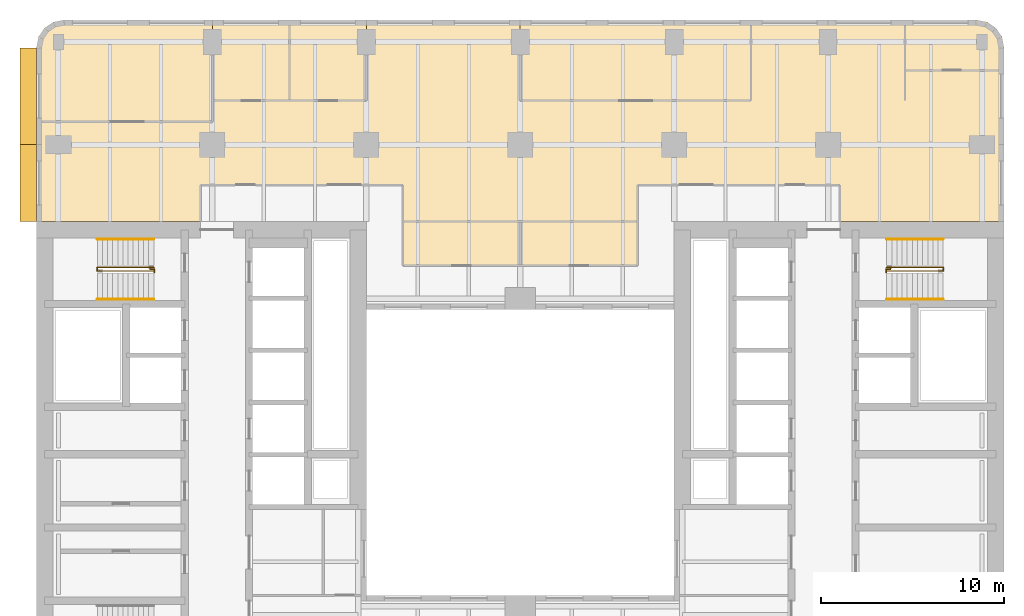
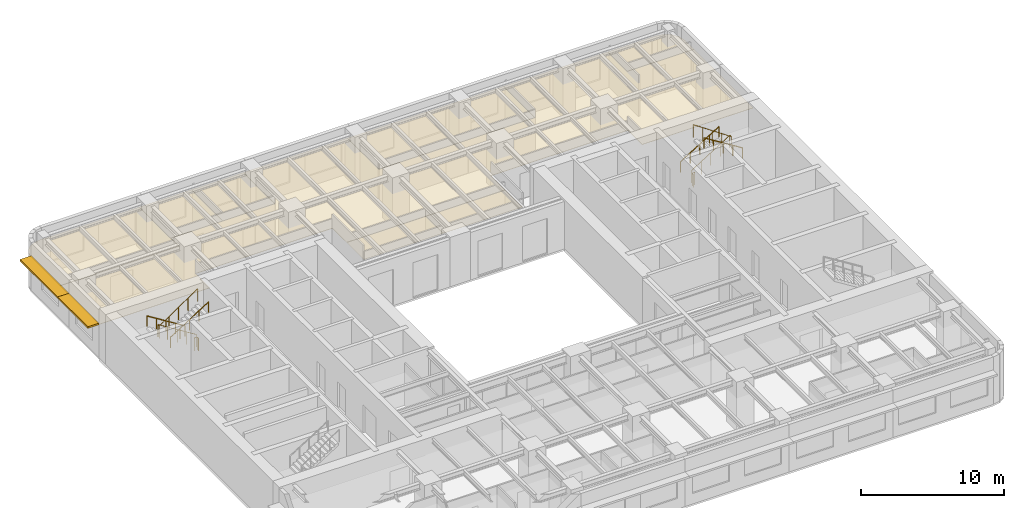
# One storey, part 11 of 11: 8 coverings, 8 railings, 2 shading devices.
"""IFC4 building model written with IfcOpenShell, lengths in metres."""

from ifc_helpers import new_model, si_unit, direction, frame, origin, origin_2d, place, context, subcontext, project, spatial, polyline, rectangle, circle, outline, extrude, material, layer, layer_set, type_object, element, save


model = new_model("IFC4")

# Units and contexts
model_context = context("Model", 3, precision=1e-05, world=origin(), true_north=direction((0.0, 1.0)))
body_context = subcontext(model_context, "Body", "Model", "MODEL_VIEW")
ifc_project = project(units=[si_unit("LENGTHUNIT", "METRE"), si_unit("AREAUNIT", "SQUARE_METRE"), si_unit("VOLUMEUNIT", "CUBIC_METRE"), si_unit("PLANEANGLEUNIT", "RADIAN"), si_unit("MASSUNIT", "GRAM", prefix="KILO")], contexts=[model_context])

# Site, building, storey
site_placement = place(None, origin())
site = spatial("IfcSite", under=ifc_project, at=site_placement, CompositionType="ELEMENT")
building_placement = place(site_placement, origin())
building = spatial("IfcBuilding", under=site, at=building_placement, Name="Claustro Exchange Tower", CompositionType="ELEMENT")
storey_placement = place(building_placement, frame((0.0, 0.0, 121.800048828125)))
storey = spatial("IfcBuildingStorey", under=building, at=storey_placement, Name="L27", CompositionType="ELEMENT", Elevation=121.800048828125)

# Coverings
ifc_material_1 = material(Name="Perforated metal ceiling tiles", Category="steel")
ifc_layer_1 = layer(ifc_material_1, 0.030029296875)
ifc_layer_set_1 = layer_set([ifc_layer_1], Name="Perforated metal ceiling tiles")
covering_type_1 = type_object("IfcCoveringType", Name="CL1 suspended metal ceiling", PredefinedType="CEILING", material=ifc_layer_set_1)
covering_1_placement = place(storey_placement, frame((0.0, 0.0, 2.800048828125)))
element("IfcCovering", 1, at=covering_1_placement, inside=storey, type_object=covering_type_1, Name="Ceiling CL1 L27-18", PredefinedType="CEILING", context=body_context, shape_type="SweptSolid", body=[
    extrude(outline(polyline([(-1.199951171875, 43.25), (-1.199951171875, 37.800048828125), (7.75, 37.800048828125), (7.75, 39.800048828125), (16.800048828125, 39.800048828125), (18.800048828125, 39.800048828125), (18.800048828125, 37.800048828125), (25.199951171875, 37.800048828125), (31.60009765625, 37.800048828125), (31.60009765625, 39.800048828125), (33.60009765625, 39.800048828125), (42.64990234375, 39.800048828125), (42.64990234375, 37.800048828125), (51.60009765625, 37.800048828125), (51.60009765625, 46.050048828125), (46.199951171875, 46.050048828125), (46.199951171875, 48.800048828125), (37.800048828125, 48.800048828125), (37.800048828125, 44.39990234375), (25.199951171875, 44.39990234375), (25.199951171875, 48.800048828125), (16.800048828125, 48.800048828125), (16.800048828125, 44.39990234375), (12.60009765625, 44.39990234375), (8.39990234375, 44.39990234375), (8.39990234375, 43.25), (-1.199951171875, 43.25)])), origin(), (0.0, 0.0, 1.0), 0.02978515625),
])
ifc_material_2 = material(Name="Gypsum board ceiling", Category="gypsum board")
ifc_layer_2 = layer(ifc_material_2, 0.02490234375)
ifc_layer_set_2 = layer_set([ifc_layer_2], Name="Gypsum board ceiling")
covering_type_2 = type_object("IfcCoveringType", Name="CL2 plasterboard ceiling", PredefinedType="CEILING", material=ifc_layer_set_2)
covering_2_placement = place(storey_placement, frame((0.0, 0.0, 2.800048828125)))
element("IfcCovering", 2, at=covering_2_placement, inside=storey, type_object=covering_type_2, Name="Ceiling CL2 L27-15", PredefinedType="CEILING", context=body_context, shape_type="SweptSolid", body=[
    extrude(outline(polyline([(18.800048828125, 35.39990234375), (25.199951171875, 35.39990234375), (25.199951171875, 37.800048828125), (18.800048828125, 37.800048828125), (18.800048828125, 35.39990234375)])), origin(), (0.0, 0.0, 1.0), 0.02490234375),
])
covering_3_placement = place(storey_placement, frame((0.0, 0.0, 2.800048828125)))
element("IfcCovering", 3, at=covering_3_placement, inside=storey, type_object=covering_type_2, Name="Ceiling CL2 L27-17", PredefinedType="CEILING", context=body_context, shape_type="SweptSolid", body=[
    extrude(outline(polyline([(25.199951171875, 35.39990234375), (31.60009765625, 35.39990234375), (31.60009765625, 37.800048828125), (25.199951171875, 37.800048828125), (25.199951171875, 35.39990234375)])), origin(), (0.0, 0.0, 1.0), 0.02490234375),
])
covering_4_placement = place(storey_placement, frame((0.0, 0.0, 2.800048828125)))
element("IfcCovering", 4, at=covering_4_placement, inside=storey, type_object=covering_type_2, Name="Ceiling CL2 L27-19", PredefinedType="CEILING", context=body_context, shape_type="SweptSolid", body=[
    extrude(outline(polyline([(-1.199951171875, 47.300048828125), (-1.199951171875, 43.25), (8.39990234375, 43.25), (8.39990234375, 48.800048828125), (0.300048828125, 48.800048828125), (-0.27392578125, 48.685791015625), (-0.7607421875, 48.360595703125), (-1.085693359375, 47.8740234375), (-1.199951171875, 47.300048828125)])), origin(), (0.0, 0.0, 1.0), 0.02490234375),
])
covering_5_placement = place(storey_placement, frame((0.0, 0.0, 2.800048828125)))
element("IfcCovering", 5, at=covering_5_placement, inside=storey, type_object=covering_type_2, Name="Ceiling CL2 L27-20", PredefinedType="CEILING", context=body_context, shape_type="SweptSolid", body=[
    extrude(outline(polyline([(12.60009765625, 48.800048828125), (8.39990234375, 48.800048828125), (8.39990234375, 44.39990234375), (12.60009765625, 44.39990234375), (12.60009765625, 48.800048828125)])), origin(), (0.0, 0.0, 1.0), 0.02490234375),
])
covering_6_placement = place(storey_placement, frame((0.0, 0.0, 2.800048828125)))
element("IfcCovering", 6, at=covering_6_placement, inside=storey, type_object=covering_type_2, Name="Ceiling CL2 L27-21", PredefinedType="CEILING", context=body_context, shape_type="SweptSolid", body=[
    extrude(outline(polyline([(16.800048828125, 48.800048828125), (12.60009765625, 48.800048828125), (12.60009765625, 44.39990234375), (16.800048828125, 44.39990234375), (16.800048828125, 48.800048828125)])), origin(), (0.0, 0.0, 1.0), 0.02490234375),
])
covering_7_placement = place(storey_placement, frame((0.0, 0.0, 2.800048828125)))
element("IfcCovering", 7, at=covering_7_placement, inside=storey, type_object=covering_type_2, Name="Ceiling CL2 L27-22", PredefinedType="CEILING", context=body_context, shape_type="SweptSolid", body=[
    extrude(outline(polyline([(37.800048828125, 48.800048828125), (25.199951171875, 48.800048828125), (25.199951171875, 44.39990234375), (37.800048828125, 44.39990234375), (37.800048828125, 48.800048828125)])), origin(), (0.0, 0.0, 1.0), 0.02490234375),
])
covering_8_placement = place(storey_placement, frame((0.0, 0.0, 2.800048828125)))
element("IfcCovering", 8, at=covering_8_placement, inside=storey, type_object=covering_type_2, Name="Ceiling CL2 L27-23", PredefinedType="CEILING", context=body_context, shape_type="SweptSolid", body=[
    extrude(outline(polyline([(50.10009765625, 48.800048828125), (46.199951171875, 48.800048828125), (46.199951171875, 46.050048828125), (51.60009765625, 46.050048828125), (51.60009765625, 47.300048828125), (51.48583984375, 47.8740234375), (51.16064453125, 48.360595703125), (50.674072265625, 48.685791015625), (50.10009765625, 48.800048828125)])), origin(), (0.0, 0.0, 1.0), 0.02490234375),
])

# Railings
ifc_material_3 = material(Name="Steel balustrade, painted", Category="steel")
railing_type_1 = type_object("IfcRailingType", Name="GR2 1100 steel stair guard", PredefinedType="GUARDRAIL", material=ifc_material_3)
railing_1_placement = place(storey_placement, frame((5.199951171875, 35.300048828125, 0.175048828125)))
element("IfcRailing", 9, at=railing_1_placement, inside=storey, type_object=railing_type_1, Name="Stair well guard GR2 stair STWB L27", PredefinedType="GUARDRAIL", context=body_context, shape_type="SweptSolid", body=[
    extrude(circle(Radius=0.02392578125, at=origin_2d()), frame((0.0, 0.0, 1.076171875), z_axis=(-0.848009633417, 0.0, 0.529980812513), x_axis=(0.0, -1.0, 0.0)), (0.0, 0.0, 1.0), 3.6318359375),
    extrude(circle(Radius=0.02392578125, at=origin_2d()), frame((-3.079833984375, 0.0, 3.0009765625), z_axis=(0.0, -1.0, 0.0), x_axis=(1.0, 0.0, 0.0)), (0.0, 0.0, 1.0), 0.199951171875),
    extrude(circle(Radius=0.02392578125, at=origin_2d()), frame((-3.079833984375, -0.199951171875, 3.0009765625), z_axis=(0.826201015165, 0.0, 0.563375436579), x_axis=(0.0, 1.0, 0.0)), (0.0, 0.0, 1.0), 3.727783203125),
    extrude(circle(Radius=0.02099609375, at=origin_2d()), origin(), (0.0, 0.0, 1.0), 1.052001953125),
    extrude(circle(Radius=0.02099609375, at=origin_2d()), frame((-0.77001953125, 0.0, 0.481201171875)), (0.0, 0.0, 1.0), 1.052001953125),
    extrude(circle(Radius=0.02099609375, at=origin_2d()), frame((-1.5400390625, 0.0, 0.96240234375)), (0.0, 0.0, 1.0), 1.052001953125),
    extrude(circle(Radius=0.02099609375, at=origin_2d()), frame((-2.309814453125, 0.0, 1.443603515625)), (0.0, 0.0, 1.0), 1.052001953125),
    extrude(circle(Radius=0.02099609375, at=origin_2d()), frame((-3.079833984375, 0.0, 1.9248046875)), (0.0, 0.0, 1.0), 1.052001953125),
    extrude(circle(Radius=0.02099609375, at=origin_2d()), frame((-3.079833984375, -0.199951171875, 1.9248046875)), (0.0, 0.0, 1.0), 1.052001953125),
    extrude(circle(Radius=0.02099609375, at=origin_2d()), frame((-2.309814453125, -0.199951171875, 2.44970703125)), (0.0, 0.0, 1.0), 1.052001953125),
    extrude(circle(Radius=0.02099609375, at=origin_2d()), frame((-1.5400390625, -0.199951171875, 2.974853515625)), (0.0, 0.0, 1.0), 1.052001953125),
    extrude(circle(Radius=0.02099609375, at=origin_2d()), frame((-0.77001953125, -0.199951171875, 3.5)), (0.0, 0.0, 1.0), 1.052001953125),
    extrude(circle(Radius=0.02099609375, at=origin_2d()), frame((0.0, -0.199951171875, 4.02490234375)), (0.0, 0.0, 1.0), 1.052001953125),
])
railing_2_placement = place(storey_placement, frame((5.0, 35.22998046875, 0.0)))
element("IfcRailing", 10, at=railing_2_placement, inside=storey, type_object=railing_type_1, Name="Stair guard GR2 STWB L27", PredefinedType="GUARDRAIL", context=body_context, shape_type="SweptSolid", body=[
    extrude(circle(Radius=0.02392578125, at=origin_2d()), frame((0.0, 0.0, 1.076171875), z_axis=(0.0, -1.0, 0.0), x_axis=(1.0, 0.0, 0.0)), (0.0, 0.0, 1.0), 0.030029296875),
    extrude(circle(Radius=0.02392578125, at=origin_2d()), frame((0.0, -0.030029296875, 1.076171875), z_axis=(1.0, 0.0, 0.0), x_axis=(0.0, 1.0, 0.0)), (0.0, 0.0, 1.0), 0.22509765625),
    extrude(circle(Radius=0.02392578125, at=origin_2d()), frame((0.22509765625, -0.030029296875, 1.076171875), z_axis=(0.0, -1.0, 0.0), x_axis=(1.0, 0.0, 0.0)), (0.0, 0.0, 1.0), 0.179931640625),
    extrude(circle(Radius=0.02099609375, at=origin_2d()), origin(), (0.0, 0.0, 1.0), 1.052001953125),
    extrude(circle(Radius=0.02099609375, at=origin_2d()), frame((0.0, -0.030029296875, 0.0)), (0.0, 0.0, 1.0), 1.052001953125),
    extrude(circle(Radius=0.02099609375, at=origin_2d()), frame((0.22509765625, -0.030029296875, 0.0)), (0.0, 0.0, 1.0), 1.052001953125),
    extrude(circle(Radius=0.02099609375, at=origin_2d()), frame((0.22509765625, -0.2099609375, 0.0)), (0.0, 0.0, 1.0), 1.052001953125),
])
railing_3_placement = place(storey_placement, frame((45.199951171875, 35.300048828125, 0.175048828125)))
element("IfcRailing", 11, at=railing_3_placement, inside=storey, type_object=railing_type_1, Name="Stair well guard GR2 stair STEB L27", PredefinedType="GUARDRAIL", context=body_context, shape_type="SweptSolid", body=[
    extrude(circle(Radius=0.02392578125, at=origin_2d()), frame((0.0, 0.0, 1.076171875), z_axis=(0.848028513186, 0.0, 0.529950602248), x_axis=(0.0, 1.0, 0.0)), (0.0, 0.0, 1.0), 3.632080078125),
    extrude(circle(Radius=0.02392578125, at=origin_2d()), frame((3.080078125, 0.0, 3.0009765625), z_axis=(0.0, -1.0, 0.0), x_axis=(1.0, 0.0, 0.0)), (0.0, 0.0, 1.0), 0.199951171875),
    extrude(circle(Radius=0.02392578125, at=origin_2d()), frame((3.080078125, -0.199951171875, 3.0009765625), z_axis=(-0.826221800596, 0.0, 0.563344953133), x_axis=(0.0, -1.0, 0.0)), (0.0, 0.0, 1.0), 3.72802734375),
    extrude(circle(Radius=0.02099609375, at=origin_2d()), origin(), (0.0, 0.0, 1.0), 1.052001953125),
    extrude(circle(Radius=0.02099609375, at=origin_2d()), frame((0.77001953125, 0.0, 0.481201171875)), (0.0, 0.0, 1.0), 1.052001953125),
    extrude(circle(Radius=0.02099609375, at=origin_2d()), frame((1.5400390625, 0.0, 0.96240234375)), (0.0, 0.0, 1.0), 1.052001953125),
    extrude(circle(Radius=0.02099609375, at=origin_2d()), frame((2.31005859375, 0.0, 1.443603515625)), (0.0, 0.0, 1.0), 1.052001953125),
    extrude(circle(Radius=0.02099609375, at=origin_2d()), frame((3.080078125, 0.0, 1.9248046875)), (0.0, 0.0, 1.0), 1.052001953125),
    extrude(circle(Radius=0.02099609375, at=origin_2d()), frame((3.080078125, -0.199951171875, 1.9248046875)), (0.0, 0.0, 1.0), 1.052001953125),
    extrude(circle(Radius=0.02099609375, at=origin_2d()), frame((2.31005859375, -0.199951171875, 2.44970703125)), (0.0, 0.0, 1.0), 1.052001953125),
    extrude(circle(Radius=0.02099609375, at=origin_2d()), frame((1.5400390625, -0.199951171875, 2.974853515625)), (0.0, 0.0, 1.0), 1.052001953125),
    extrude(circle(Radius=0.02099609375, at=origin_2d()), frame((0.77001953125, -0.199951171875, 3.5)), (0.0, 0.0, 1.0), 1.052001953125),
    extrude(circle(Radius=0.02099609375, at=origin_2d()), frame((0.0, -0.199951171875, 4.02490234375)), (0.0, 0.0, 1.0), 1.052001953125),
])
railing_4_placement = place(storey_placement, frame((45.39990234375, 35.22998046875, 0.0)))
element("IfcRailing", 12, at=railing_4_placement, inside=storey, type_object=railing_type_1, Name="Stair guard GR2 STEB L27", PredefinedType="GUARDRAIL", context=body_context, shape_type="SweptSolid", body=[
    extrude(circle(Radius=0.02392578125, at=origin_2d()), frame((0.0, 0.0, 1.076171875), z_axis=(0.0, -1.0, 0.0), x_axis=(1.0, 0.0, 0.0)), (0.0, 0.0, 1.0), 0.030029296875),
    extrude(circle(Radius=0.02392578125, at=origin_2d()), frame((0.0, -0.030029296875, 1.076171875), z_axis=(-1.0, 0.0, 0.0), x_axis=(0.0, -1.0, 0.0)), (0.0, 0.0, 1.0), 0.224853515625),
    extrude(circle(Radius=0.02392578125, at=origin_2d()), frame((-0.224853515625, -0.030029296875, 1.076171875), z_axis=(0.0, -1.0, 0.0), x_axis=(1.0, 0.0, 0.0)), (0.0, 0.0, 1.0), 0.179931640625),
    extrude(circle(Radius=0.02099609375, at=origin_2d()), origin(), (0.0, 0.0, 1.0), 1.052001953125),
    extrude(circle(Radius=0.02099609375, at=origin_2d()), frame((0.0, -0.030029296875, 0.0)), (0.0, 0.0, 1.0), 1.052001953125),
    extrude(circle(Radius=0.02099609375, at=origin_2d()), frame((-0.224853515625, -0.030029296875, 0.0)), (0.0, 0.0, 1.0), 1.052001953125),
    extrude(circle(Radius=0.02099609375, at=origin_2d()), frame((-0.224853515625, -0.2099609375, 0.0)), (0.0, 0.0, 1.0), 1.052001953125),
])
ifc_material_4 = material(Name="Stainless steel tube", Category="steel")
railing_type_2 = type_object("IfcRailingType", Name="HR1 900 stair handrail", PredefinedType="HANDRAIL", material=ifc_material_4)
railing_5_placement = place(storey_placement, frame((5.199951171875, 36.840087890625, 0.175048828125)))
element("IfcRailing", 13, at=railing_5_placement, inside=storey, type_object=railing_type_2, Name="Handrail HR1 stair STWB L27", PredefinedType="HANDRAIL", context=body_context, shape_type="SweptSolid", body=[
    extrude(circle(Radius=0.02392578125, at=origin_2d()), frame((0.0, 0.0, 0.8759765625), z_axis=(-0.848009633417, 0.0, 0.529980812513), x_axis=(0.0, -1.0, 0.0)), (0.0, 0.0, 1.0), 3.6318359375),
    extrude(circle(Radius=0.02099609375, at=origin_2d()), origin(), (0.0, 0.0, 1.0), 0.851806640625),
    extrude(circle(Radius=0.02099609375, at=origin_2d()), frame((-0.77001953125, 0.0, 0.481201171875)), (0.0, 0.0, 1.0), 0.851806640625),
    extrude(circle(Radius=0.02099609375, at=origin_2d()), frame((-1.5400390625, 0.0, 0.96240234375)), (0.0, 0.0, 1.0), 0.851806640625),
    extrude(circle(Radius=0.02099609375, at=origin_2d()), frame((-2.309814453125, 0.0, 1.443603515625)), (0.0, 0.0, 1.0), 0.851806640625),
    extrude(circle(Radius=0.02099609375, at=origin_2d()), frame((-3.079833984375, 0.0, 1.9248046875)), (0.0, 0.0, 1.0), 0.851806640625),
])
railing_6_placement = place(storey_placement, frame((2.1201171875, 33.56005859375, 2.27490234375)))
element("IfcRailing", 14, at=railing_6_placement, inside=storey, type_object=railing_type_2, Name="Handrail HR1 stair STWB L27", PredefinedType="HANDRAIL", context=body_context, shape_type="SweptSolid", body=[
    extrude(circle(Radius=0.02392578125, at=origin_2d()), frame((0.0, 0.0, 0.8759765625), z_axis=(0.847979421464, 0.0, 0.530029150871), x_axis=(0.0, 1.0, 0.0)), (0.0, 0.0, 1.0), 3.632080078125),
    extrude(circle(Radius=0.02099609375, at=origin_2d()), origin(), (0.0, 0.0, 1.0), 0.851806640625),
    extrude(circle(Radius=0.02099609375, at=origin_2d()), frame((0.77001953125, 0.0, 0.481201171875)), (0.0, 0.0, 1.0), 0.851806640625),
    extrude(circle(Radius=0.02099609375, at=origin_2d()), frame((1.5400390625, 0.0, 0.96240234375)), (0.0, 0.0, 1.0), 0.851806640625),
    extrude(circle(Radius=0.02099609375, at=origin_2d()), frame((2.309814453125, 0.0, 1.44384765625)), (0.0, 0.0, 1.0), 0.851806640625),
    extrude(circle(Radius=0.02099609375, at=origin_2d()), frame((3.079833984375, 0.0, 1.925048828125)), (0.0, 0.0, 1.0), 0.851806640625),
])
railing_7_placement = place(storey_placement, frame((45.199951171875, 36.840087890625, 0.175048828125)))
element("IfcRailing", 15, at=railing_7_placement, inside=storey, type_object=railing_type_2, Name="Handrail HR1 stair STEB L27", PredefinedType="HANDRAIL", context=body_context, shape_type="SweptSolid", body=[
    extrude(circle(Radius=0.02392578125, at=origin_2d()), frame((0.0, 0.0, 0.8759765625), z_axis=(0.848028513186, 0.0, 0.529950602248), x_axis=(0.0, 1.0, 0.0)), (0.0, 0.0, 1.0), 3.632080078125),
    extrude(circle(Radius=0.02099609375, at=origin_2d()), origin(), (0.0, 0.0, 1.0), 0.851806640625),
    extrude(circle(Radius=0.02099609375, at=origin_2d()), frame((0.77001953125, 0.0, 0.481201171875)), (0.0, 0.0, 1.0), 0.851806640625),
    extrude(circle(Radius=0.02099609375, at=origin_2d()), frame((1.5400390625, 0.0, 0.96240234375)), (0.0, 0.0, 1.0), 0.851806640625),
    extrude(circle(Radius=0.02099609375, at=origin_2d()), frame((2.31005859375, 0.0, 1.443603515625)), (0.0, 0.0, 1.0), 0.851806640625),
    extrude(circle(Radius=0.02099609375, at=origin_2d()), frame((3.080078125, 0.0, 1.9248046875)), (0.0, 0.0, 1.0), 0.851806640625),
])
railing_8_placement = place(storey_placement, frame((48.280029296875, 33.56005859375, 2.27490234375)))
element("IfcRailing", 16, at=railing_8_placement, inside=storey, type_object=railing_type_2, Name="Handrail HR1 stair STEB L27", PredefinedType="HANDRAIL", context=body_context, shape_type="SweptSolid", body=[
    extrude(circle(Radius=0.02392578125, at=origin_2d()), frame((0.0, 0.0, 0.8759765625), z_axis=(-0.847998304005, 0.0, 0.529998940003), x_axis=(0.0, -1.0, 0.0)), (0.0, 0.0, 1.0), 3.632080078125),
    extrude(circle(Radius=0.02099609375, at=origin_2d()), origin(), (0.0, 0.0, 1.0), 0.851806640625),
    extrude(circle(Radius=0.02099609375, at=origin_2d()), frame((-0.77001953125, 0.0, 0.481201171875)), (0.0, 0.0, 1.0), 0.851806640625),
    extrude(circle(Radius=0.02099609375, at=origin_2d()), frame((-1.5400390625, 0.0, 0.96240234375)), (0.0, 0.0, 1.0), 0.851806640625),
    extrude(circle(Radius=0.02099609375, at=origin_2d()), frame((-2.31005859375, 0.0, 1.44384765625)), (0.0, 0.0, 1.0), 0.851806640625),
    extrude(circle(Radius=0.02099609375, at=origin_2d()), frame((-3.080078125, 0.0, 1.925048828125)), (0.0, 0.0, 1.0), 0.851806640625),
])

# Shading devices
ifc_material_5 = material(Name="Concrete HA-40 (C40/50), precast, white cement, acid-etched", Category="concrete")
ifc_layer_3 = layer(ifc_material_5, 0.14990234375)
ifc_layer_set_3 = layer_set([ifc_layer_3], Name="Concrete HA-40 (C40/50), precast, white cement, acid-etched")
shading_device_type = type_object("IfcShadingDeviceType", Name="SS2 900 precast concrete SUNSHADE", PredefinedType="SHUTTER", material=ifc_layer_set_3)
shading_device_1_placement = place(storey_placement, frame((-1.64990234375, 39.89990234375, 2.800048828125), z_axis=(0.0, 0.0, 1.0), x_axis=(0.0, 1.0, 0.0)))
element("IfcShadingDevice", 17, at=shading_device_1_placement, inside=storey, type_object=shading_device_type, Name="Precast SUNSHADE SS2 L27", PredefinedType="SHUTTER", context=body_context, shape_type="SweptSolid", body=[
    extrude(rectangle(XDim=4.199951171875, YDim=0.89990234375, at=origin_2d()), origin(), (0.0, 0.0, 1.0), 0.14990234375),
])
shading_device_2_placement = place(storey_placement, frame((-1.64990234375, 44.642578125, 2.800048828125), z_axis=(0.0, 0.0, 1.0), x_axis=(0.0, 1.0, 0.0)))
element("IfcShadingDevice", 18, at=shading_device_2_placement, inside=storey, type_object=shading_device_type, Name="Precast SUNSHADE SS2 L27", PredefinedType="SHUTTER", context=body_context, shape_type="SweptSolid", body=[
    extrude(rectangle(XDim=5.28515625, YDim=0.89990234375, at=origin_2d()), origin(), (0.0, 0.0, 1.0), 0.14990234375),
])

save(model, "model.ifc")
